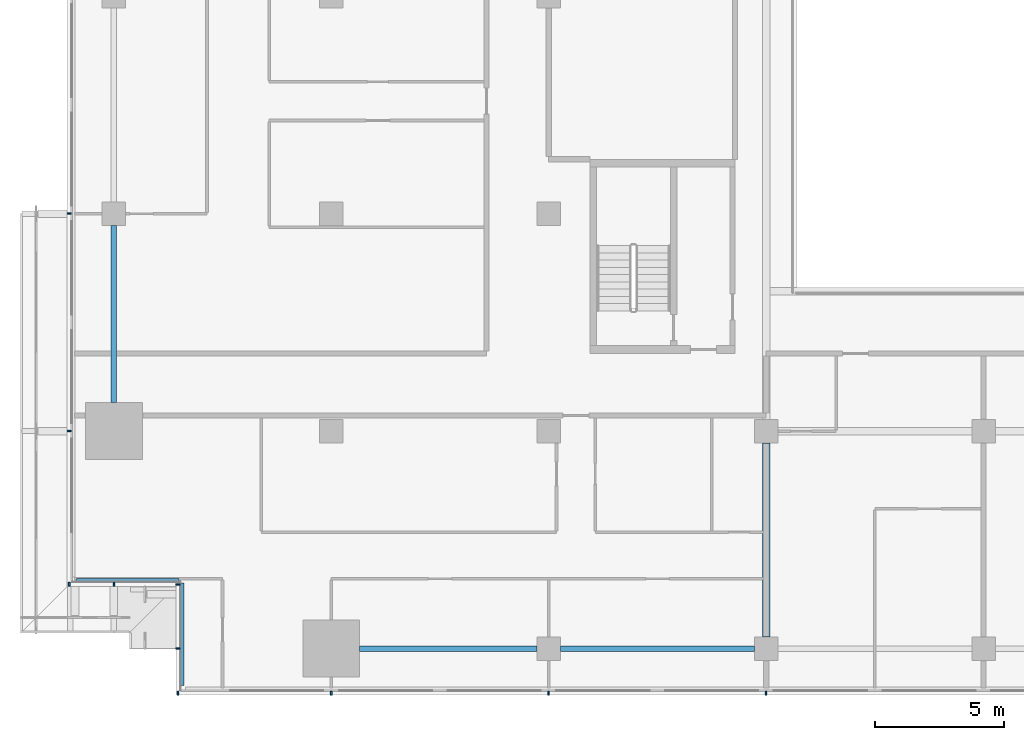
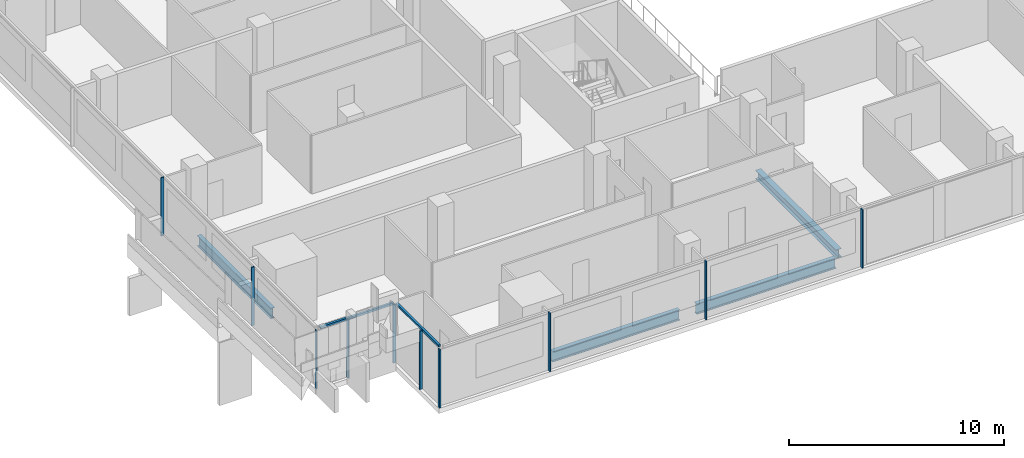
# One storey, part 2 of 27: 12 members, 4 beams, 4 elements without a shape of their own.
"""IFC4 building model written with IfcOpenShell, lengths in metres."""

from ifc_helpers import new_model, si_unit, direction, frame, origin, origin_2d, place, context, subcontext, project, spatial, rectangle, i_section, extrude, material, material_profile, profile_set, type_object, element, aggregate, save


model = new_model("IFC4")

# Units and contexts
model_context = context("Model", 3, precision=1e-05, world=origin(), true_north=direction((0.0, 1.0)))
body_context = subcontext(model_context, "Body", "Model", "MODEL_VIEW")
ifc_project = project(units=[si_unit("LENGTHUNIT", "METRE"), si_unit("AREAUNIT", "SQUARE_METRE"), si_unit("VOLUMEUNIT", "CUBIC_METRE"), si_unit("PLANEANGLEUNIT", "RADIAN"), si_unit("MASSUNIT", "GRAM", prefix="KILO")], contexts=[model_context])

# Site, building, storey
site_placement = place(None, origin())
site = spatial("IfcSite", under=ifc_project, at=site_placement, CompositionType="ELEMENT")
building_placement = place(site_placement, origin())
building = spatial("IfcBuilding", under=site, at=building_placement, Name="Saffron Gate Tower", CompositionType="ELEMENT")
storey_placement = place(building_placement, frame((0.0, 0.0, 76.800048828125)))
storey = spatial("IfcBuildingStorey", under=building, at=storey_placement, Name="L18", CompositionType="ELEMENT", Elevation=76.800048828125)

# Beams
ifc_material_1 = material(Name="Structural steel S355", Category="steel")
ifc_material_profile_1 = material_profile(ifc_material_1, i_section(OverallWidth=0.219970703125, OverallDepth=0.60009765625, WebThickness=0.011962890625, FlangeThickness=0.01904296875, FilletRadius=0.02392578125, at=origin_2d()))
ifc_profile_set_1 = profile_set([ifc_material_profile_1], Name="Structural steel S355")
beam_type_1 = type_object("IfcBeamType", Name="B16 IPE 600", PredefinedType="SPANDREL", material=ifc_profile_set_1)
for number, where, z_axis, x_axis, name in (
    (1, (49.800048828125, 41.300048828125, -0.580078125), (0.0, 1.0, 0.0), (-1.0, 0.0, 0.0), "B16 SPANDREL BEAM"),
    (2, (59.300048828125, 31.800048828125, -0.580078125), (1.0, 0.0, 0.0), (0.0, 1.0, 0.0), "B16 SPANDREL BEAM"),
):
    element("IfcBeam", number, at=place(storey_placement, frame(where, z_axis=z_axis, x_axis=x_axis)), inside=storey, type_object=beam_type_1, Name=name, PredefinedType="SPANDREL", context=body_context, shape_type="SweptSolid", body=[
        extrude(i_section(OverallWidth=0.219970703125, OverallDepth=0.60009765625, WebThickness=0.011962890625, FlangeThickness=0.01904296875, FilletRadius=0.02392578125, at=origin_2d()), origin(), (0.0, 0.0, 1.0), 6.849853515625),
    ])
beam_1_placement = place(storey_placement, frame((67.050048828125, 31.800048828125, -0.580078125), z_axis=(1.0, 0.0, 0.0), x_axis=(0.0, 1.0, 0.0)))
element("IfcBeam", 3, at=beam_1_placement, inside=storey, type_object=beam_type_1, Name="B16 SPANDREL BEAM", PredefinedType="SPANDREL", context=body_context, shape_type="SweptSolid", body=[
    extrude(i_section(OverallWidth=0.219970703125, OverallDepth=0.60009765625, WebThickness=0.011962890625, FlangeThickness=0.01904296875, FilletRadius=0.02392578125, at=origin_2d()), origin(), (0.0, 0.0, 1.0), 7.5),
])
ifc_material_profile_2 = material_profile(ifc_material_1, i_section(OverallWidth=0.300048828125, OverallDepth=0.489990234375, WebThickness=0.011962890625, FlangeThickness=0.02294921875, FilletRadius=0.027099609375, at=origin_2d()))
ifc_profile_set_2 = profile_set([ifc_material_profile_2], Name="Structural steel S355")
beam_type_2 = type_object("IfcBeamType", Name="B8 HEA 500", PredefinedType="BEAM", material=ifc_profile_set_2)
beam_2_placement = place(storey_placement, frame((75.0, 32.25, -0.525146484375), z_axis=(0.0, 1.0, 0.0), x_axis=(-1.0, 0.0, 0.0)))
element("IfcBeam", 4, at=beam_2_placement, inside=storey, type_object=beam_type_2, Name="B8 FLOOR GIRDER", PredefinedType="BEAM", context=body_context, shape_type="SweptSolid", body=[
    extrude(i_section(OverallWidth=0.300048828125, OverallDepth=0.489990234375, WebThickness=0.011962890625, FlangeThickness=0.02294921875, FilletRadius=0.027099609375, at=origin_2d()), origin(), (0.0, 0.0, 1.0), 7.5),
])

# Curtain wall, members
ifc_material_2 = material(Name="Aluminium, bronze anodised", Category="aluminium")
curtain_wall_type_1 = type_object("IfcCurtainWallType", Name="CWS1 curtain wall front facade", PredefinedType="NOTDEFINED", material=ifc_material_2)
curtain_wall_1_placement = place(storey_placement, origin())
curtain_wall_1 = element("IfcCurtainWall", 5, at=curtain_wall_1_placement, inside=storey, type_object=curtain_wall_type_1, Name="CWS1 run 1", PredefinedType="NOTDEFINED")
ifc_material_profile_3 = material_profile(ifc_material_2, rectangle(XDim=0.159912109375, YDim=0.06005859375, at=origin_2d()))
ifc_profile_set_3 = profile_set([ifc_material_profile_3], Name="Aluminium, bronze anodised")
member_type_1 = type_object("IfcMemberType", Name="CWS1 mullion 60x160", PredefinedType="MULLION", material=ifc_profile_set_3)
member_1_placement = place(storey_placement, frame((52.280029296875, 30.080078125, 0.0), z_axis=(0.0, 0.0, 1.0), x_axis=(0.0, 1.0, 0.0)))
member_1 = element("IfcMember", 6, at=member_1_placement, type_object=member_type_1, Name="CWS1 mullion 1", PredefinedType="MULLION", context=body_context, shape_type="SweptSolid", body=[
    extrude(rectangle(XDim=0.159912109375, YDim=0.06005859375, at=origin_2d()), origin(), (0.0, 0.0, 1.0), 3.320068359375),
])
member_2_placement = place(storey_placement, frame((58.199951171875, 30.080078125, 0.0), z_axis=(0.0, 0.0, 1.0), x_axis=(0.0, 1.0, 0.0)))
member_2 = element("IfcMember", 7, at=member_2_placement, type_object=member_type_1, Name="CWS1 mullion 2", PredefinedType="MULLION", context=body_context, shape_type="SweptSolid", body=[
    extrude(rectangle(XDim=0.159912109375, YDim=0.06005859375, at=origin_2d()), origin(), (0.0, 0.0, 1.0), 3.320068359375),
])
member_3_placement = place(storey_placement, frame((66.60009765625, 30.080078125, 0.0), z_axis=(0.0, 0.0, 1.0), x_axis=(0.0, 1.0, 0.0)))
member_3 = element("IfcMember", 8, at=member_3_placement, type_object=member_type_1, Name="CWS1 mullion 3", PredefinedType="MULLION", context=body_context, shape_type="SweptSolid", body=[
    extrude(rectangle(XDim=0.159912109375, YDim=0.06005859375, at=origin_2d()), origin(), (0.0, 0.0, 1.0), 3.320068359375),
])
member_4_placement = place(storey_placement, frame((75.0, 30.080078125, 0.0), z_axis=(0.0, 0.0, 1.0), x_axis=(0.0, 1.0, 0.0)))
member_4 = element("IfcMember", 9, at=member_4_placement, type_object=member_type_1, Name="CWS1 mullion 4", PredefinedType="MULLION", context=body_context, shape_type="SweptSolid", body=[
    extrude(rectangle(XDim=0.159912109375, YDim=0.06005859375, at=origin_2d()), origin(), (0.0, 0.0, 1.0), 3.320068359375),
])
aggregate(curtain_wall_1, [member_1, member_2, member_3, member_4])

curtain_wall_type_2 = type_object("IfcCurtainWallType", Name="CWS2 curtain wall side facades", PredefinedType="NOTDEFINED", material=ifc_material_2)
curtain_wall_2_placement = place(storey_placement, origin())
curtain_wall_2 = element("IfcCurtainWall", 10, at=curtain_wall_2_placement, inside=storey, type_object=curtain_wall_type_2, Name="CWS2 run 10", PredefinedType="NOTDEFINED")
ifc_material_profile_4 = material_profile(ifc_material_2, rectangle(XDim=0.159912109375, YDim=0.06005859375, at=origin_2d()))
ifc_profile_set_4 = profile_set([ifc_material_profile_4], Name="Aluminium, bronze anodised")
member_type_2 = type_object("IfcMemberType", Name="CWS2 mullion 60x160", PredefinedType="MULLION", material=ifc_profile_set_4)
member_5_placement = place(storey_placement, frame((48.080078125, 48.60009765625, 0.0), z_axis=(0.0, 0.0, 1.0), x_axis=(1.0, 0.0, 0.0)))
member_5 = element("IfcMember", 11, at=member_5_placement, type_object=member_type_2, Name="CWS2 mullion 4", PredefinedType="MULLION", context=body_context, shape_type="SweptSolid", body=[
    extrude(rectangle(XDim=0.159912109375, YDim=0.06005859375, at=origin_2d()), origin(), (0.0, 0.0, 1.0), 3.320068359375),
])
member_6_placement = place(storey_placement, frame((48.080078125, 40.199951171875, 0.0), z_axis=(0.0, 0.0, 1.0), x_axis=(1.0, 0.0, 0.0)))
member_6 = element("IfcMember", 12, at=member_6_placement, type_object=member_type_2, Name="CWS2 mullion 5", PredefinedType="MULLION", context=body_context, shape_type="SweptSolid", body=[
    extrude(rectangle(XDim=0.159912109375, YDim=0.06005859375, at=origin_2d()), origin(), (0.0, 0.0, 1.0), 3.320068359375),
])
aggregate(curtain_wall_2, [member_5, member_6])

# Curtain wall, member
curtain_wall_type_3 = type_object("IfcCurtainWallType", Name="CWS4 curtain wall corner returns", PredefinedType="NOTDEFINED", material=ifc_material_2)
curtain_wall_3_placement = place(storey_placement, origin())
curtain_wall_3 = element("IfcCurtainWall", 13, at=curtain_wall_3_placement, inside=storey, type_object=curtain_wall_type_3, Name="CWS4 run 11", PredefinedType="NOTDEFINED")
ifc_material_profile_5 = material_profile(ifc_material_2, rectangle(XDim=0.1201171875, YDim=0.1201171875, at=origin_2d()))
ifc_profile_set_5 = profile_set([ifc_material_profile_5], Name="Aluminium, bronze anodised")
member_type_3 = type_object("IfcMemberType", Name="CWS4 head transom", PredefinedType="USERDEFINED", material=ifc_profile_set_5)
member_7_placement = place(storey_placement, frame((48.367919921875, 34.447998046875, 3.260009765625), z_axis=(1.0, 0.0, 0.0), x_axis=(0.0, 1.0, 0.0)))
member_7 = element("IfcMember", 14, at=member_7_placement, type_object=member_type_3, Name="CWS4 head transom", ObjectType="TRANSOM", PredefinedType="USERDEFINED", context=body_context, shape_type="SweptSolid", body=[
    extrude(rectangle(XDim=0.1201171875, YDim=0.1201171875, at=origin_2d()), origin(), (0.0, 0.0, 1.0), 3.9599609375),
])

curtain_wall_4_placement = place(storey_placement, origin())
curtain_wall_4 = element("IfcCurtainWall", 15, at=curtain_wall_4_placement, inside=storey, type_object=curtain_wall_type_3, Name="CWS4 run 12", PredefinedType="NOTDEFINED")
member_8_placement = place(storey_placement, frame((52.447998046875, 34.327880859375, 3.260009765625), z_axis=(0.0, -1.0, 0.0), x_axis=(1.0, 0.0, 0.0)))
member_8 = element("IfcMember", 16, at=member_8_placement, type_object=member_type_3, Name="CWS4 head transom", ObjectType="TRANSOM", PredefinedType="USERDEFINED", context=body_context, shape_type="SweptSolid", body=[
    extrude(rectangle(XDim=0.1201171875, YDim=0.1201171875, at=origin_2d()), origin(), (0.0, 0.0, 1.0), 3.9599609375),
])

# Member
ifc_material_profile_6 = material_profile(ifc_material_2, rectangle(XDim=0.159912109375, YDim=0.06005859375, at=origin_2d()))
ifc_profile_set_6 = profile_set([ifc_material_profile_6], Name="Aluminium, bronze anodised")
member_type_4 = type_object("IfcMemberType", Name="CWS4 mullion 60x160", PredefinedType="MULLION", material=ifc_profile_set_6)
member_9_placement = place(storey_placement, frame((48.080078125, 34.280029296875, 0.0), z_axis=(0.0, 0.0, 1.0), x_axis=(0.0, 1.0, 0.0)))
member_9 = element("IfcMember", 17, at=member_9_placement, type_object=member_type_4, Name="CWS4 mullion 1", PredefinedType="MULLION", context=body_context, shape_type="SweptSolid", body=[
    extrude(rectangle(XDim=0.159912109375, YDim=0.06005859375, at=origin_2d()), origin(), (0.0, 0.0, 1.0), 3.320068359375),
])

member_10_placement = place(storey_placement, frame((49.800048828125, 34.280029296875, 0.0), z_axis=(0.0, 0.0, 1.0), x_axis=(0.0, 1.0, 0.0)))
member_10 = element("IfcMember", 18, at=member_10_placement, type_object=member_type_4, Name="CWS4 mullion 2", PredefinedType="MULLION", context=body_context, shape_type="SweptSolid", body=[
    extrude(rectangle(XDim=0.159912109375, YDim=0.06005859375, at=origin_2d()), origin(), (0.0, 0.0, 1.0), 3.320068359375),
])

aggregate(curtain_wall_3, [member_9, member_10, member_7])

member_11_placement = place(storey_placement, frame((52.280029296875, 34.280029296875, 0.0), z_axis=(0.0, 0.0, 1.0), x_axis=(1.0, 0.0, 0.0)))
member_11 = element("IfcMember", 19, at=member_11_placement, type_object=member_type_4, Name="CWS4 mullion 1", PredefinedType="MULLION", context=body_context, shape_type="SweptSolid", body=[
    extrude(rectangle(XDim=0.159912109375, YDim=0.06005859375, at=origin_2d()), origin(), (0.0, 0.0, 1.0), 3.320068359375),
])

member_12_placement = place(storey_placement, frame((52.280029296875, 31.800048828125, 0.0), z_axis=(0.0, 0.0, 1.0), x_axis=(1.0, 0.0, 0.0)))
member_12 = element("IfcMember", 20, at=member_12_placement, type_object=member_type_4, Name="CWS4 mullion 2", PredefinedType="MULLION", context=body_context, shape_type="SweptSolid", body=[
    extrude(rectangle(XDim=0.159912109375, YDim=0.06005859375, at=origin_2d()), origin(), (0.0, 0.0, 1.0), 3.320068359375),
])

aggregate(curtain_wall_4, [member_11, member_12, member_8])

save(model, "model.ifc")
